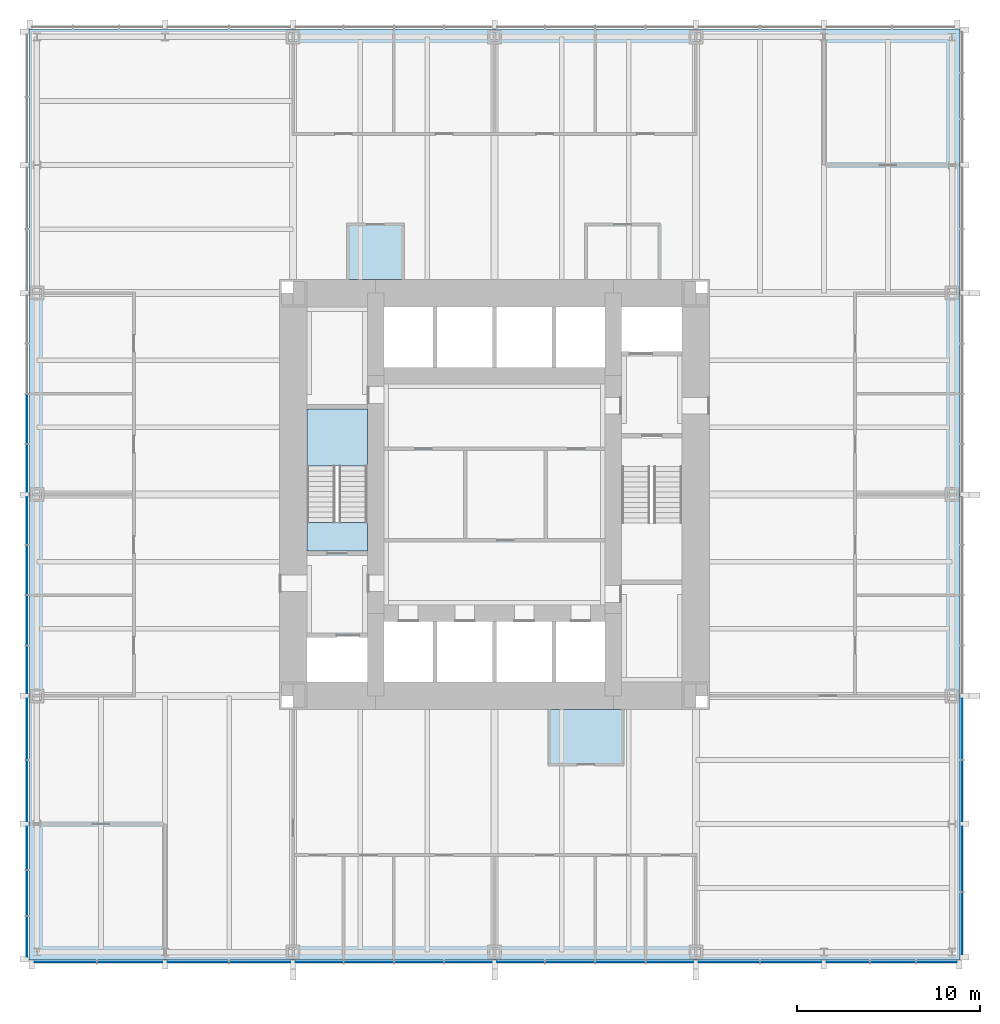
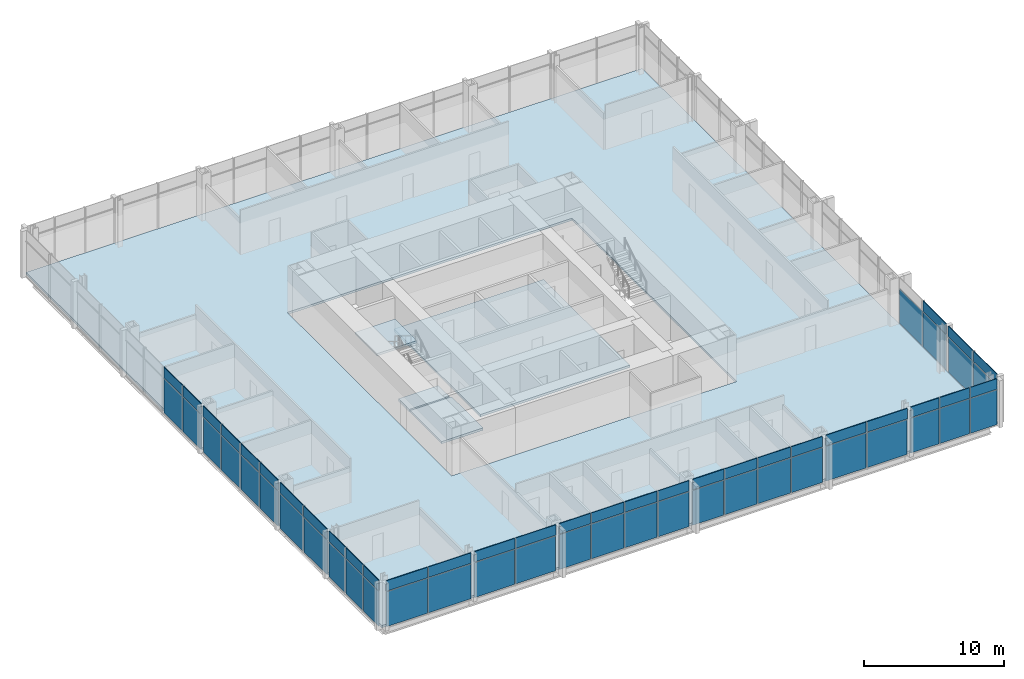
# One storey, part 7 of 12: 63 plates, 5 slabs, 4 elements without a shape of their own.
"""IFC4 building model written with IfcOpenShell, lengths in metres."""

from ifc_helpers import new_model, si_unit, direction, frame, origin, origin_2d, place, context, subcontext, project, spatial, polyline, rectangle, outline, extrude, material, layer, layer_set, type_object, element, aggregate, save


model = new_model("IFC4")

# Units and contexts
model_context = context("Model", 3, precision=1e-05, world=origin(), true_north=direction((0.0, 1.0)))
body_context = subcontext(model_context, "Body", "Model", "MODEL_VIEW")
ifc_project = project(units=[si_unit("LENGTHUNIT", "METRE"), si_unit("AREAUNIT", "SQUARE_METRE"), si_unit("VOLUMEUNIT", "CUBIC_METRE"), si_unit("PLANEANGLEUNIT", "RADIAN"), si_unit("MASSUNIT", "GRAM", prefix="KILO")], contexts=[model_context])

# Site, building, storey
site_placement = place(None, origin())
site = spatial("IfcSite", under=ifc_project, at=site_placement, CompositionType="ELEMENT")
building_placement = place(site_placement, origin())
building = spatial("IfcBuilding", under=site, at=building_placement, Name="Trevanion Tower", CompositionType="ELEMENT")
storey_placement = place(building_placement, frame((0.0, 0.0, 69.300048828125)))
storey = spatial("IfcBuildingStorey", under=building, at=storey_placement, Name="L16", CompositionType="ELEMENT", Elevation=69.300048828125)

# Curtain wall, plates
ifc_material_1 = material(Name="Aluminium and glass", Category="aluminium")
curtain_wall_type = type_object("IfcCurtainWallType", Name="CW1 curtain wall", PredefinedType="USERDEFINED", material=ifc_material_1)
curtain_wall_1_placement = place(storey_placement, origin())
curtain_wall_1 = element("IfcCurtainWall", 1, at=curtain_wall_1_placement, inside=storey, type_object=curtain_wall_type, Name="CW1 L16 0", ObjectType="UNITISED CURTAIN WALL", PredefinedType="USERDEFINED")
ifc_material_2 = material(Name="Aluminium spandrel panel", Category="aluminium")
ifc_layer_1 = layer(ifc_material_2, 0.06005859375)
ifc_layer_set_1 = layer_set([ifc_layer_1], Name="CW1 spandrel panel")
plate_type_1 = type_object("IfcPlateType", Name="CW1 spandrel panel", PredefinedType="CURTAIN_PANEL", material=ifc_layer_set_1)
plate_1_placement = place(storey_placement, frame((25.550048828125, -23.433837890625, 2.997314453125), z_axis=(0.0, 0.0, 1.0), x_axis=(0.0, 1.0, 0.0)))
plate_1 = element("IfcPlate", 2, at=plate_1_placement, type_object=plate_type_1, Name="CW1 panel 1.2", PredefinedType="CURTAIN_PANEL", context=body_context, shape_type="SweptSolid", body=[
    extrude(rectangle(XDim=3.37255859375, YDim=0.06005859375, at=origin_2d()), origin(), (0.0, 0.0, 1.0), 0.91259765625),
])
plate_2_placement = place(storey_placement, frame((25.550048828125, -19.911376953125, 2.997314453125), z_axis=(0.0, 0.0, 1.0), x_axis=(0.0, 1.0, 0.0)))
plate_2 = element("IfcPlate", 3, at=plate_2_placement, type_object=plate_type_1, Name="CW1 panel 2.2", PredefinedType="CURTAIN_PANEL", context=body_context, shape_type="SweptSolid", body=[
    extrude(rectangle(XDim=3.5224609375, YDim=0.06005859375, at=origin_2d()), origin(), (0.0, 0.0, 1.0), 0.91259765625),
])
plate_3_placement = place(storey_placement, frame((25.550048828125, -16.19384765625, 2.997314453125), z_axis=(0.0, 0.0, 1.0), x_axis=(0.0, 1.0, 0.0)))
plate_3 = element("IfcPlate", 4, at=plate_3_placement, type_object=plate_type_1, Name="CW1 panel 3.2", PredefinedType="CURTAIN_PANEL", context=body_context, shape_type="SweptSolid", body=[
    extrude(rectangle(XDim=3.3125, YDim=0.06005859375, at=origin_2d()), origin(), (0.0, 0.0, 1.0), 0.91259765625),
])

curtain_wall_2_placement = place(storey_placement, origin())
curtain_wall_2 = element("IfcCurtainWall", 5, at=curtain_wall_2_placement, inside=storey, type_object=curtain_wall_type, Name="CW1 L16 2", ObjectType="UNITISED CURTAIN WALL", PredefinedType="USERDEFINED")
plate_4_placement = place(storey_placement, frame((-25.550048828125, 4.125, 2.997314453125), z_axis=(0.0, 0.0, 1.0), x_axis=(0.0, -1.0, 0.0)))
plate_4 = element("IfcPlate", 6, at=plate_4_placement, type_object=plate_type_1, Name="CW1 panel 7.2", PredefinedType="CURTAIN_PANEL", context=body_context, shape_type="SweptSolid", body=[
    extrude(rectangle(XDim=2.675048828125, YDim=0.06005859375, at=origin_2d()), origin(), (0.0, 0.0, 1.0), 0.91259765625),
])
plate_5_placement = place(storey_placement, frame((-25.550048828125, 1.43115234375, 2.997314453125), z_axis=(0.0, 0.0, 1.0), x_axis=(0.0, -1.0, 0.0)))
plate_5 = element("IfcPlate", 7, at=plate_5_placement, type_object=plate_type_1, Name="CW1 panel 8.2", PredefinedType="CURTAIN_PANEL", context=body_context, shape_type="SweptSolid", body=[
    extrude(rectangle(XDim=2.5625, YDim=0.06005859375, at=origin_2d()), origin(), (0.0, 0.0, 1.0), 0.91259765625),
])
plate_6_placement = place(storey_placement, frame((-25.550048828125, -1.43115234375, 2.997314453125), z_axis=(0.0, 0.0, 1.0), x_axis=(0.0, -1.0, 0.0)))
plate_6 = element("IfcPlate", 8, at=plate_6_placement, type_object=plate_type_1, Name="CW1 panel 9.2", PredefinedType="CURTAIN_PANEL", context=body_context, shape_type="SweptSolid", body=[
    extrude(rectangle(XDim=2.5625, YDim=0.06005859375, at=origin_2d()), origin(), (0.0, 0.0, 1.0), 0.91259765625),
])
plate_7_placement = place(storey_placement, frame((-25.550048828125, -4.125, 2.997314453125), z_axis=(0.0, 0.0, 1.0), x_axis=(0.0, -1.0, 0.0)))
plate_7 = element("IfcPlate", 9, at=plate_7_placement, type_object=plate_type_1, Name="CW1 panel 10.2", PredefinedType="CURTAIN_PANEL", context=body_context, shape_type="SweptSolid", body=[
    extrude(rectangle(XDim=2.675048828125, YDim=0.06005859375, at=origin_2d()), origin(), (0.0, 0.0, 1.0), 0.91259765625),
])
plate_8_placement = place(storey_placement, frame((-25.550048828125, -6.875, 2.997314453125), z_axis=(0.0, 0.0, 1.0), x_axis=(0.0, -1.0, 0.0)))
plate_8 = element("IfcPlate", 10, at=plate_8_placement, type_object=plate_type_1, Name="CW1 panel 11.2", PredefinedType="CURTAIN_PANEL", context=body_context, shape_type="SweptSolid", body=[
    extrude(rectangle(XDim=2.675048828125, YDim=0.06005859375, at=origin_2d()), origin(), (0.0, 0.0, 1.0), 0.91259765625),
])
plate_9_placement = place(storey_placement, frame((-25.550048828125, -9.56884765625, 2.997314453125), z_axis=(0.0, 0.0, 1.0), x_axis=(0.0, -1.0, 0.0)))
plate_9 = element("IfcPlate", 11, at=plate_9_placement, type_object=plate_type_1, Name="CW1 panel 12.2", PredefinedType="CURTAIN_PANEL", context=body_context, shape_type="SweptSolid", body=[
    extrude(rectangle(XDim=2.5625, YDim=0.06005859375, at=origin_2d()), origin(), (0.0, 0.0, 1.0), 0.91259765625),
])
plate_10_placement = place(storey_placement, frame((-25.550048828125, -12.80615234375, 2.997314453125), z_axis=(0.0, 0.0, 1.0), x_axis=(0.0, -1.0, 0.0)))
plate_10 = element("IfcPlate", 12, at=plate_10_placement, type_object=plate_type_1, Name="CW1 panel 13.2", PredefinedType="CURTAIN_PANEL", context=body_context, shape_type="SweptSolid", body=[
    extrude(rectangle(XDim=3.3125, YDim=0.06005859375, at=origin_2d()), origin(), (0.0, 0.0, 1.0), 0.91259765625),
])
plate_11_placement = place(storey_placement, frame((-25.550048828125, -16.19384765625, 2.997314453125), z_axis=(0.0, 0.0, 1.0), x_axis=(0.0, -1.0, 0.0)))
plate_11 = element("IfcPlate", 13, at=plate_11_placement, type_object=plate_type_1, Name="CW1 panel 14.2", PredefinedType="CURTAIN_PANEL", context=body_context, shape_type="SweptSolid", body=[
    extrude(rectangle(XDim=3.3125, YDim=0.06005859375, at=origin_2d()), origin(), (0.0, 0.0, 1.0), 0.91259765625),
])
plate_12_placement = place(storey_placement, frame((-25.550048828125, -19.314697265625, 2.997314453125), z_axis=(0.0, 0.0, 1.0), x_axis=(0.0, -1.0, 0.0)))
plate_12 = element("IfcPlate", 14, at=plate_12_placement, type_object=plate_type_1, Name="CW1 panel 15.2", PredefinedType="CURTAIN_PANEL", context=body_context, shape_type="SweptSolid", body=[
    extrude(rectangle(XDim=2.3291015625, YDim=0.06005859375, at=origin_2d()), origin(), (0.0, 0.0, 1.0), 0.91259765625),
])
plate_13_placement = place(storey_placement, frame((-25.550048828125, -21.77490234375, 2.997314453125), z_axis=(0.0, 0.0, 1.0), x_axis=(0.0, -1.0, 0.0)))
plate_13 = element("IfcPlate", 15, at=plate_13_placement, type_object=plate_type_1, Name="CW1 panel 16.2", PredefinedType="CURTAIN_PANEL", context=body_context, shape_type="SweptSolid", body=[
    extrude(rectangle(XDim=2.441650390625, YDim=0.06005859375, at=origin_2d()), origin(), (0.0, 0.0, 1.0), 0.91259765625),
])
plate_14_placement = place(storey_placement, frame((-25.550048828125, -24.160400390625, 2.997314453125), z_axis=(0.0, 0.0, 1.0), x_axis=(0.0, -1.0, 0.0)))
plate_14 = element("IfcPlate", 16, at=plate_14_placement, type_object=plate_type_1, Name="CW1 panel 17.2", PredefinedType="CURTAIN_PANEL", context=body_context, shape_type="SweptSolid", body=[
    extrude(rectangle(XDim=2.17919921875, YDim=0.06005859375, at=origin_2d()), origin(), (0.0, 0.0, 1.0), 0.91259765625),
])

curtain_wall_3_placement = place(storey_placement, origin())
curtain_wall_3 = element("IfcCurtainWall", 17, at=curtain_wall_3_placement, inside=storey, type_object=curtain_wall_type, Name="CW1 L16 3", ObjectType="UNITISED CURTAIN WALL", PredefinedType="USERDEFINED")
plate_15_placement = place(storey_placement, frame((-23.433837890625, -25.550048828125, 2.997314453125), z_axis=(0.0, 0.0, 1.0), x_axis=(1.0, 0.0, 0.0)))
plate_15 = element("IfcPlate", 18, at=plate_15_placement, type_object=plate_type_1, Name="CW1 panel 1.2", PredefinedType="CURTAIN_PANEL", context=body_context, shape_type="SweptSolid", body=[
    extrude(rectangle(XDim=3.37255859375, YDim=0.06005859375, at=origin_2d()), origin(), (0.0, 0.0, 1.0), 0.91259765625),
])
plate_16_placement = place(storey_placement, frame((-19.911376953125, -25.550048828125, 2.997314453125), z_axis=(0.0, 0.0, 1.0), x_axis=(1.0, 0.0, 0.0)))
plate_16 = element("IfcPlate", 19, at=plate_16_placement, type_object=plate_type_1, Name="CW1 panel 2.2", PredefinedType="CURTAIN_PANEL", context=body_context, shape_type="SweptSolid", body=[
    extrude(rectangle(XDim=3.5224609375, YDim=0.06005859375, at=origin_2d()), origin(), (0.0, 0.0, 1.0), 0.91259765625),
])
plate_17_placement = place(storey_placement, frame((-16.19384765625, -25.550048828125, 2.997314453125), z_axis=(0.0, 0.0, 1.0), x_axis=(1.0, 0.0, 0.0)))
plate_17 = element("IfcPlate", 20, at=plate_17_placement, type_object=plate_type_1, Name="CW1 panel 3.2", PredefinedType="CURTAIN_PANEL", context=body_context, shape_type="SweptSolid", body=[
    extrude(rectangle(XDim=3.3125, YDim=0.06005859375, at=origin_2d()), origin(), (0.0, 0.0, 1.0), 0.91259765625),
])
plate_18_placement = place(storey_placement, frame((-12.806396484375, -25.550048828125, 2.997314453125), z_axis=(0.0, 0.0, 1.0), x_axis=(1.0, 0.0, 0.0)))
plate_18 = element("IfcPlate", 21, at=plate_18_placement, type_object=plate_type_1, Name="CW1 panel 4.2", PredefinedType="CURTAIN_PANEL", context=body_context, shape_type="SweptSolid", body=[
    extrude(rectangle(XDim=3.3125, YDim=0.06005859375, at=origin_2d()), origin(), (0.0, 0.0, 1.0), 0.91259765625),
])
plate_19_placement = place(storey_placement, frame((-9.56884765625, -25.550048828125, 2.997314453125), z_axis=(0.0, 0.0, 1.0), x_axis=(1.0, 0.0, 0.0)))
plate_19 = element("IfcPlate", 22, at=plate_19_placement, type_object=plate_type_1, Name="CW1 panel 5.2", PredefinedType="CURTAIN_PANEL", context=body_context, shape_type="SweptSolid", body=[
    extrude(rectangle(XDim=2.5625, YDim=0.06005859375, at=origin_2d()), origin(), (0.0, 0.0, 1.0), 0.91259765625),
])
plate_20_placement = place(storey_placement, frame((-6.875, -25.550048828125, 2.997314453125), z_axis=(0.0, 0.0, 1.0), x_axis=(1.0, 0.0, 0.0)))
plate_20 = element("IfcPlate", 23, at=plate_20_placement, type_object=plate_type_1, Name="CW1 panel 6.2", PredefinedType="CURTAIN_PANEL", context=body_context, shape_type="SweptSolid", body=[
    extrude(rectangle(XDim=2.675048828125, YDim=0.06005859375, at=origin_2d()), origin(), (0.0, 0.0, 1.0), 0.91259765625),
])
plate_21_placement = place(storey_placement, frame((-4.125, -25.550048828125, 2.997314453125), z_axis=(0.0, 0.0, 1.0), x_axis=(1.0, 0.0, 0.0)))
plate_21 = element("IfcPlate", 24, at=plate_21_placement, type_object=plate_type_1, Name="CW1 panel 7.2", PredefinedType="CURTAIN_PANEL", context=body_context, shape_type="SweptSolid", body=[
    extrude(rectangle(XDim=2.675048828125, YDim=0.06005859375, at=origin_2d()), origin(), (0.0, 0.0, 1.0), 0.91259765625),
])
plate_22_placement = place(storey_placement, frame((-1.43115234375, -25.550048828125, 2.997314453125), z_axis=(0.0, 0.0, 1.0), x_axis=(1.0, 0.0, 0.0)))
plate_22 = element("IfcPlate", 25, at=plate_22_placement, type_object=plate_type_1, Name="CW1 panel 8.2", PredefinedType="CURTAIN_PANEL", context=body_context, shape_type="SweptSolid", body=[
    extrude(rectangle(XDim=2.5625, YDim=0.06005859375, at=origin_2d()), origin(), (0.0, 0.0, 1.0), 0.91259765625),
])
plate_23_placement = place(storey_placement, frame((1.43115234375, -25.550048828125, 2.997314453125), z_axis=(0.0, 0.0, 1.0), x_axis=(1.0, 0.0, 0.0)))
plate_23 = element("IfcPlate", 26, at=plate_23_placement, type_object=plate_type_1, Name="CW1 panel 9.2", PredefinedType="CURTAIN_PANEL", context=body_context, shape_type="SweptSolid", body=[
    extrude(rectangle(XDim=2.5625, YDim=0.06005859375, at=origin_2d()), origin(), (0.0, 0.0, 1.0), 0.91259765625),
])
plate_24_placement = place(storey_placement, frame((4.125, -25.550048828125, 2.997314453125), z_axis=(0.0, 0.0, 1.0), x_axis=(1.0, 0.0, 0.0)))
plate_24 = element("IfcPlate", 27, at=plate_24_placement, type_object=plate_type_1, Name="CW1 panel 10.2", PredefinedType="CURTAIN_PANEL", context=body_context, shape_type="SweptSolid", body=[
    extrude(rectangle(XDim=2.675048828125, YDim=0.06005859375, at=origin_2d()), origin(), (0.0, 0.0, 1.0), 0.91259765625),
])
plate_25_placement = place(storey_placement, frame((6.875, -25.550048828125, 2.997314453125), z_axis=(0.0, 0.0, 1.0), x_axis=(1.0, 0.0, 0.0)))
plate_25 = element("IfcPlate", 28, at=plate_25_placement, type_object=plate_type_1, Name="CW1 panel 11.2", PredefinedType="CURTAIN_PANEL", context=body_context, shape_type="SweptSolid", body=[
    extrude(rectangle(XDim=2.675048828125, YDim=0.06005859375, at=origin_2d()), origin(), (0.0, 0.0, 1.0), 0.91259765625),
])
plate_26_placement = place(storey_placement, frame((9.56884765625, -25.550048828125, 2.997314453125), z_axis=(0.0, 0.0, 1.0), x_axis=(1.0, 0.0, 0.0)))
plate_26 = element("IfcPlate", 29, at=plate_26_placement, type_object=plate_type_1, Name="CW1 panel 12.2", PredefinedType="CURTAIN_PANEL", context=body_context, shape_type="SweptSolid", body=[
    extrude(rectangle(XDim=2.5625, YDim=0.06005859375, at=origin_2d()), origin(), (0.0, 0.0, 1.0), 0.91259765625),
])
plate_27_placement = place(storey_placement, frame((12.80615234375, -25.550048828125, 2.997314453125), z_axis=(0.0, 0.0, 1.0), x_axis=(1.0, 0.0, 0.0)))
plate_27 = element("IfcPlate", 30, at=plate_27_placement, type_object=plate_type_1, Name="CW1 panel 13.2", PredefinedType="CURTAIN_PANEL", context=body_context, shape_type="SweptSolid", body=[
    extrude(rectangle(XDim=3.3125, YDim=0.06005859375, at=origin_2d()), origin(), (0.0, 0.0, 1.0), 0.91259765625),
])
plate_28_placement = place(storey_placement, frame((16.19384765625, -25.550048828125, 2.997314453125), z_axis=(0.0, 0.0, 1.0), x_axis=(1.0, 0.0, 0.0)))
plate_28 = element("IfcPlate", 31, at=plate_28_placement, type_object=plate_type_1, Name="CW1 panel 14.2", PredefinedType="CURTAIN_PANEL", context=body_context, shape_type="SweptSolid", body=[
    extrude(rectangle(XDim=3.3125, YDim=0.06005859375, at=origin_2d()), origin(), (0.0, 0.0, 1.0), 0.91259765625),
])
plate_29_placement = place(storey_placement, frame((19.314697265625, -25.550048828125, 2.997314453125), z_axis=(0.0, 0.0, 1.0), x_axis=(1.0, 0.0, 0.0)))
plate_29 = element("IfcPlate", 32, at=plate_29_placement, type_object=plate_type_1, Name="CW1 panel 15.2", PredefinedType="CURTAIN_PANEL", context=body_context, shape_type="SweptSolid", body=[
    extrude(rectangle(XDim=2.3291015625, YDim=0.06005859375, at=origin_2d()), origin(), (0.0, 0.0, 1.0), 0.91259765625),
])
plate_30_placement = place(storey_placement, frame((21.77490234375, -25.550048828125, 2.997314453125), z_axis=(0.0, 0.0, 1.0), x_axis=(1.0, 0.0, 0.0)))
plate_30 = element("IfcPlate", 33, at=plate_30_placement, type_object=plate_type_1, Name="CW1 panel 16.2", PredefinedType="CURTAIN_PANEL", context=body_context, shape_type="SweptSolid", body=[
    extrude(rectangle(XDim=2.441650390625, YDim=0.06005859375, at=origin_2d()), origin(), (0.0, 0.0, 1.0), 0.91259765625),
])
plate_31_placement = place(storey_placement, frame((24.160400390625, -25.550048828125, 2.997314453125), z_axis=(0.0, 0.0, 1.0), x_axis=(1.0, 0.0, 0.0)))
plate_31 = element("IfcPlate", 34, at=plate_31_placement, type_object=plate_type_1, Name="CW1 panel 17.2", PredefinedType="CURTAIN_PANEL", context=body_context, shape_type="SweptSolid", body=[
    extrude(rectangle(XDim=2.17919921875, YDim=0.06005859375, at=origin_2d()), origin(), (0.0, 0.0, 1.0), 0.91259765625),
])

# Plate
ifc_material_3 = material(Name="Insulating glass unit", Category="glass")
ifc_layer_2 = layer(ifc_material_3, 0.028076171875)
ifc_layer_set_2 = layer_set([ifc_layer_2], Name="CW1 vision panel")
plate_type_2 = type_object("IfcPlateType", Name="CW1 vision panel", PredefinedType="CURTAIN_PANEL", material=ifc_layer_set_2)
plate_32_placement = place(storey_placement, frame((25.550048828125, -23.433837890625, -0.115234375), z_axis=(0.0, 0.0, 1.0), x_axis=(0.0, 1.0, 0.0)))
plate_32 = element("IfcPlate", 35, at=plate_32_placement, type_object=plate_type_2, Name="CW1 panel 1.1", PredefinedType="CURTAIN_PANEL", context=body_context, shape_type="SweptSolid", body=[
    extrude(rectangle(XDim=3.37255859375, YDim=0.028076171875, at=origin_2d()), origin(), (0.0, 0.0, 1.0), 3.03759765625),
])

plate_33_placement = place(storey_placement, frame((25.550048828125, -19.911376953125, -0.115234375), z_axis=(0.0, 0.0, 1.0), x_axis=(0.0, 1.0, 0.0)))
plate_33 = element("IfcPlate", 36, at=plate_33_placement, type_object=plate_type_2, Name="CW1 panel 2.1", PredefinedType="CURTAIN_PANEL", context=body_context, shape_type="SweptSolid", body=[
    extrude(rectangle(XDim=3.5224609375, YDim=0.028076171875, at=origin_2d()), origin(), (0.0, 0.0, 1.0), 3.03759765625),
])

plate_34_placement = place(storey_placement, frame((25.550048828125, -16.19384765625, -0.115234375), z_axis=(0.0, 0.0, 1.0), x_axis=(0.0, 1.0, 0.0)))
plate_34 = element("IfcPlate", 37, at=plate_34_placement, type_object=plate_type_2, Name="CW1 panel 3.1", PredefinedType="CURTAIN_PANEL", context=body_context, shape_type="SweptSolid", body=[
    extrude(rectangle(XDim=3.3125, YDim=0.028076171875, at=origin_2d()), origin(), (0.0, 0.0, 1.0), 3.03759765625),
])

plate_35_placement = place(storey_placement, frame((25.550048828125, -12.806396484375, -0.115234375), z_axis=(0.0, 0.0, 1.0), x_axis=(0.0, 1.0, 0.0)))
plate_35 = element("IfcPlate", 38, at=plate_35_placement, type_object=plate_type_2, Name="CW1 panel 4.1", PredefinedType="CURTAIN_PANEL", context=body_context, shape_type="SweptSolid", body=[
    extrude(rectangle(XDim=3.3125, YDim=0.028076171875, at=origin_2d()), origin(), (0.0, 0.0, 1.0), 3.03759765625),
])

aggregate(curtain_wall_1, [plate_32, plate_1, plate_33, plate_2, plate_34, plate_3, plate_35])

plate_36_placement = place(storey_placement, frame((-25.550048828125, 4.125, -0.115234375), z_axis=(0.0, 0.0, 1.0), x_axis=(0.0, -1.0, 0.0)))
plate_36 = element("IfcPlate", 39, at=plate_36_placement, type_object=plate_type_2, Name="CW1 panel 7.1", PredefinedType="CURTAIN_PANEL", context=body_context, shape_type="SweptSolid", body=[
    extrude(rectangle(XDim=2.675048828125, YDim=0.028076171875, at=origin_2d()), origin(), (0.0, 0.0, 1.0), 3.03759765625),
])

plate_37_placement = place(storey_placement, frame((-25.550048828125, 1.43115234375, -0.115234375), z_axis=(0.0, 0.0, 1.0), x_axis=(0.0, -1.0, 0.0)))
plate_37 = element("IfcPlate", 40, at=plate_37_placement, type_object=plate_type_2, Name="CW1 panel 8.1", PredefinedType="CURTAIN_PANEL", context=body_context, shape_type="SweptSolid", body=[
    extrude(rectangle(XDim=2.5625, YDim=0.028076171875, at=origin_2d()), origin(), (0.0, 0.0, 1.0), 3.03759765625),
])

plate_38_placement = place(storey_placement, frame((-25.550048828125, -1.43115234375, -0.115234375), z_axis=(0.0, 0.0, 1.0), x_axis=(0.0, -1.0, 0.0)))
plate_38 = element("IfcPlate", 41, at=plate_38_placement, type_object=plate_type_2, Name="CW1 panel 9.1", PredefinedType="CURTAIN_PANEL", context=body_context, shape_type="SweptSolid", body=[
    extrude(rectangle(XDim=2.5625, YDim=0.028076171875, at=origin_2d()), origin(), (0.0, 0.0, 1.0), 3.03759765625),
])

plate_39_placement = place(storey_placement, frame((-25.550048828125, -4.125, -0.115234375), z_axis=(0.0, 0.0, 1.0), x_axis=(0.0, -1.0, 0.0)))
plate_39 = element("IfcPlate", 42, at=plate_39_placement, type_object=plate_type_2, Name="CW1 panel 10.1", PredefinedType="CURTAIN_PANEL", context=body_context, shape_type="SweptSolid", body=[
    extrude(rectangle(XDim=2.675048828125, YDim=0.028076171875, at=origin_2d()), origin(), (0.0, 0.0, 1.0), 3.03759765625),
])

plate_40_placement = place(storey_placement, frame((-25.550048828125, -6.875, -0.115234375), z_axis=(0.0, 0.0, 1.0), x_axis=(0.0, -1.0, 0.0)))
plate_40 = element("IfcPlate", 43, at=plate_40_placement, type_object=plate_type_2, Name="CW1 panel 11.1", PredefinedType="CURTAIN_PANEL", context=body_context, shape_type="SweptSolid", body=[
    extrude(rectangle(XDim=2.675048828125, YDim=0.028076171875, at=origin_2d()), origin(), (0.0, 0.0, 1.0), 3.03759765625),
])

plate_41_placement = place(storey_placement, frame((-25.550048828125, -9.56884765625, -0.115234375), z_axis=(0.0, 0.0, 1.0), x_axis=(0.0, -1.0, 0.0)))
plate_41 = element("IfcPlate", 44, at=plate_41_placement, type_object=plate_type_2, Name="CW1 panel 12.1", PredefinedType="CURTAIN_PANEL", context=body_context, shape_type="SweptSolid", body=[
    extrude(rectangle(XDim=2.5625, YDim=0.028076171875, at=origin_2d()), origin(), (0.0, 0.0, 1.0), 3.03759765625),
])

plate_42_placement = place(storey_placement, frame((-25.550048828125, -12.80615234375, -0.115234375), z_axis=(0.0, 0.0, 1.0), x_axis=(0.0, -1.0, 0.0)))
plate_42 = element("IfcPlate", 45, at=plate_42_placement, type_object=plate_type_2, Name="CW1 panel 13.1", PredefinedType="CURTAIN_PANEL", context=body_context, shape_type="SweptSolid", body=[
    extrude(rectangle(XDim=3.3125, YDim=0.028076171875, at=origin_2d()), origin(), (0.0, 0.0, 1.0), 3.03759765625),
])

plate_43_placement = place(storey_placement, frame((-25.550048828125, -16.19384765625, -0.115234375), z_axis=(0.0, 0.0, 1.0), x_axis=(0.0, -1.0, 0.0)))
plate_43 = element("IfcPlate", 46, at=plate_43_placement, type_object=plate_type_2, Name="CW1 panel 14.1", PredefinedType="CURTAIN_PANEL", context=body_context, shape_type="SweptSolid", body=[
    extrude(rectangle(XDim=3.3125, YDim=0.028076171875, at=origin_2d()), origin(), (0.0, 0.0, 1.0), 3.03759765625),
])

plate_44_placement = place(storey_placement, frame((-25.550048828125, -19.314697265625, -0.115234375), z_axis=(0.0, 0.0, 1.0), x_axis=(0.0, -1.0, 0.0)))
plate_44 = element("IfcPlate", 47, at=plate_44_placement, type_object=plate_type_2, Name="CW1 panel 15.1", PredefinedType="CURTAIN_PANEL", context=body_context, shape_type="SweptSolid", body=[
    extrude(rectangle(XDim=2.3291015625, YDim=0.028076171875, at=origin_2d()), origin(), (0.0, 0.0, 1.0), 3.03759765625),
])

plate_45_placement = place(storey_placement, frame((-25.550048828125, -21.77490234375, -0.115234375), z_axis=(0.0, 0.0, 1.0), x_axis=(0.0, -1.0, 0.0)))
plate_45 = element("IfcPlate", 48, at=plate_45_placement, type_object=plate_type_2, Name="CW1 panel 16.1", PredefinedType="CURTAIN_PANEL", context=body_context, shape_type="SweptSolid", body=[
    extrude(rectangle(XDim=2.441650390625, YDim=0.028076171875, at=origin_2d()), origin(), (0.0, 0.0, 1.0), 3.03759765625),
])

plate_46_placement = place(storey_placement, frame((-25.550048828125, -24.160400390625, -0.115234375), z_axis=(0.0, 0.0, 1.0), x_axis=(0.0, -1.0, 0.0)))
plate_46 = element("IfcPlate", 49, at=plate_46_placement, type_object=plate_type_2, Name="CW1 panel 17.1", PredefinedType="CURTAIN_PANEL", context=body_context, shape_type="SweptSolid", body=[
    extrude(rectangle(XDim=2.17919921875, YDim=0.028076171875, at=origin_2d()), origin(), (0.0, 0.0, 1.0), 3.03759765625),
])

aggregate(curtain_wall_2, [plate_36, plate_4, plate_37, plate_5, plate_38, plate_6, plate_39, plate_7, plate_40, plate_8, plate_41, plate_9, plate_42, plate_10, plate_43, plate_11, plate_44, plate_12, plate_45, plate_13, plate_46, plate_14])

plate_47_placement = place(storey_placement, frame((-23.433837890625, -25.550048828125, -0.115234375), z_axis=(0.0, 0.0, 1.0), x_axis=(1.0, 0.0, 0.0)))
plate_47 = element("IfcPlate", 50, at=plate_47_placement, type_object=plate_type_2, Name="CW1 panel 1.1", PredefinedType="CURTAIN_PANEL", context=body_context, shape_type="SweptSolid", body=[
    extrude(rectangle(XDim=3.37255859375, YDim=0.028076171875, at=origin_2d()), origin(), (0.0, 0.0, 1.0), 3.03759765625),
])

plate_48_placement = place(storey_placement, frame((-19.911376953125, -25.550048828125, -0.115234375), z_axis=(0.0, 0.0, 1.0), x_axis=(1.0, 0.0, 0.0)))
plate_48 = element("IfcPlate", 51, at=plate_48_placement, type_object=plate_type_2, Name="CW1 panel 2.1", PredefinedType="CURTAIN_PANEL", context=body_context, shape_type="SweptSolid", body=[
    extrude(rectangle(XDim=3.5224609375, YDim=0.028076171875, at=origin_2d()), origin(), (0.0, 0.0, 1.0), 3.03759765625),
])

plate_49_placement = place(storey_placement, frame((-16.19384765625, -25.550048828125, -0.115234375), z_axis=(0.0, 0.0, 1.0), x_axis=(1.0, 0.0, 0.0)))
plate_49 = element("IfcPlate", 52, at=plate_49_placement, type_object=plate_type_2, Name="CW1 panel 3.1", PredefinedType="CURTAIN_PANEL", context=body_context, shape_type="SweptSolid", body=[
    extrude(rectangle(XDim=3.3125, YDim=0.028076171875, at=origin_2d()), origin(), (0.0, 0.0, 1.0), 3.03759765625),
])

plate_50_placement = place(storey_placement, frame((-12.806396484375, -25.550048828125, -0.115234375), z_axis=(0.0, 0.0, 1.0), x_axis=(1.0, 0.0, 0.0)))
plate_50 = element("IfcPlate", 53, at=plate_50_placement, type_object=plate_type_2, Name="CW1 panel 4.1", PredefinedType="CURTAIN_PANEL", context=body_context, shape_type="SweptSolid", body=[
    extrude(rectangle(XDim=3.3125, YDim=0.028076171875, at=origin_2d()), origin(), (0.0, 0.0, 1.0), 3.03759765625),
])

plate_51_placement = place(storey_placement, frame((-9.56884765625, -25.550048828125, -0.115234375), z_axis=(0.0, 0.0, 1.0), x_axis=(1.0, 0.0, 0.0)))
plate_51 = element("IfcPlate", 54, at=plate_51_placement, type_object=plate_type_2, Name="CW1 panel 5.1", PredefinedType="CURTAIN_PANEL", context=body_context, shape_type="SweptSolid", body=[
    extrude(rectangle(XDim=2.5625, YDim=0.028076171875, at=origin_2d()), origin(), (0.0, 0.0, 1.0), 3.03759765625),
])

plate_52_placement = place(storey_placement, frame((-6.875, -25.550048828125, -0.115234375), z_axis=(0.0, 0.0, 1.0), x_axis=(1.0, 0.0, 0.0)))
plate_52 = element("IfcPlate", 55, at=plate_52_placement, type_object=plate_type_2, Name="CW1 panel 6.1", PredefinedType="CURTAIN_PANEL", context=body_context, shape_type="SweptSolid", body=[
    extrude(rectangle(XDim=2.675048828125, YDim=0.028076171875, at=origin_2d()), origin(), (0.0, 0.0, 1.0), 3.03759765625),
])

plate_53_placement = place(storey_placement, frame((-4.125, -25.550048828125, -0.115234375), z_axis=(0.0, 0.0, 1.0), x_axis=(1.0, 0.0, 0.0)))
plate_53 = element("IfcPlate", 56, at=plate_53_placement, type_object=plate_type_2, Name="CW1 panel 7.1", PredefinedType="CURTAIN_PANEL", context=body_context, shape_type="SweptSolid", body=[
    extrude(rectangle(XDim=2.675048828125, YDim=0.028076171875, at=origin_2d()), origin(), (0.0, 0.0, 1.0), 3.03759765625),
])

plate_54_placement = place(storey_placement, frame((-1.43115234375, -25.550048828125, -0.115234375), z_axis=(0.0, 0.0, 1.0), x_axis=(1.0, 0.0, 0.0)))
plate_54 = element("IfcPlate", 57, at=plate_54_placement, type_object=plate_type_2, Name="CW1 panel 8.1", PredefinedType="CURTAIN_PANEL", context=body_context, shape_type="SweptSolid", body=[
    extrude(rectangle(XDim=2.5625, YDim=0.028076171875, at=origin_2d()), origin(), (0.0, 0.0, 1.0), 3.03759765625),
])

plate_55_placement = place(storey_placement, frame((1.43115234375, -25.550048828125, -0.115234375), z_axis=(0.0, 0.0, 1.0), x_axis=(1.0, 0.0, 0.0)))
plate_55 = element("IfcPlate", 58, at=plate_55_placement, type_object=plate_type_2, Name="CW1 panel 9.1", PredefinedType="CURTAIN_PANEL", context=body_context, shape_type="SweptSolid", body=[
    extrude(rectangle(XDim=2.5625, YDim=0.028076171875, at=origin_2d()), origin(), (0.0, 0.0, 1.0), 3.03759765625),
])

plate_56_placement = place(storey_placement, frame((4.125, -25.550048828125, -0.115234375), z_axis=(0.0, 0.0, 1.0), x_axis=(1.0, 0.0, 0.0)))
plate_56 = element("IfcPlate", 59, at=plate_56_placement, type_object=plate_type_2, Name="CW1 panel 10.1", PredefinedType="CURTAIN_PANEL", context=body_context, shape_type="SweptSolid", body=[
    extrude(rectangle(XDim=2.675048828125, YDim=0.028076171875, at=origin_2d()), origin(), (0.0, 0.0, 1.0), 3.03759765625),
])

plate_57_placement = place(storey_placement, frame((6.875, -25.550048828125, -0.115234375), z_axis=(0.0, 0.0, 1.0), x_axis=(1.0, 0.0, 0.0)))
plate_57 = element("IfcPlate", 60, at=plate_57_placement, type_object=plate_type_2, Name="CW1 panel 11.1", PredefinedType="CURTAIN_PANEL", context=body_context, shape_type="SweptSolid", body=[
    extrude(rectangle(XDim=2.675048828125, YDim=0.028076171875, at=origin_2d()), origin(), (0.0, 0.0, 1.0), 3.03759765625),
])

plate_58_placement = place(storey_placement, frame((9.56884765625, -25.550048828125, -0.115234375), z_axis=(0.0, 0.0, 1.0), x_axis=(1.0, 0.0, 0.0)))
plate_58 = element("IfcPlate", 61, at=plate_58_placement, type_object=plate_type_2, Name="CW1 panel 12.1", PredefinedType="CURTAIN_PANEL", context=body_context, shape_type="SweptSolid", body=[
    extrude(rectangle(XDim=2.5625, YDim=0.028076171875, at=origin_2d()), origin(), (0.0, 0.0, 1.0), 3.03759765625),
])

plate_59_placement = place(storey_placement, frame((12.80615234375, -25.550048828125, -0.115234375), z_axis=(0.0, 0.0, 1.0), x_axis=(1.0, 0.0, 0.0)))
plate_59 = element("IfcPlate", 62, at=plate_59_placement, type_object=plate_type_2, Name="CW1 panel 13.1", PredefinedType="CURTAIN_PANEL", context=body_context, shape_type="SweptSolid", body=[
    extrude(rectangle(XDim=3.3125, YDim=0.028076171875, at=origin_2d()), origin(), (0.0, 0.0, 1.0), 3.03759765625),
])

plate_60_placement = place(storey_placement, frame((16.19384765625, -25.550048828125, -0.115234375), z_axis=(0.0, 0.0, 1.0), x_axis=(1.0, 0.0, 0.0)))
plate_60 = element("IfcPlate", 63, at=plate_60_placement, type_object=plate_type_2, Name="CW1 panel 14.1", PredefinedType="CURTAIN_PANEL", context=body_context, shape_type="SweptSolid", body=[
    extrude(rectangle(XDim=3.3125, YDim=0.028076171875, at=origin_2d()), origin(), (0.0, 0.0, 1.0), 3.03759765625),
])

plate_61_placement = place(storey_placement, frame((19.314697265625, -25.550048828125, -0.115234375), z_axis=(0.0, 0.0, 1.0), x_axis=(1.0, 0.0, 0.0)))
plate_61 = element("IfcPlate", 64, at=plate_61_placement, type_object=plate_type_2, Name="CW1 panel 15.1", PredefinedType="CURTAIN_PANEL", context=body_context, shape_type="SweptSolid", body=[
    extrude(rectangle(XDim=2.3291015625, YDim=0.028076171875, at=origin_2d()), origin(), (0.0, 0.0, 1.0), 3.03759765625),
])

plate_62_placement = place(storey_placement, frame((21.77490234375, -25.550048828125, -0.115234375), z_axis=(0.0, 0.0, 1.0), x_axis=(1.0, 0.0, 0.0)))
plate_62 = element("IfcPlate", 65, at=plate_62_placement, type_object=plate_type_2, Name="CW1 panel 16.1", PredefinedType="CURTAIN_PANEL", context=body_context, shape_type="SweptSolid", body=[
    extrude(rectangle(XDim=2.441650390625, YDim=0.028076171875, at=origin_2d()), origin(), (0.0, 0.0, 1.0), 3.03759765625),
])

plate_63_placement = place(storey_placement, frame((24.160400390625, -25.550048828125, -0.115234375), z_axis=(0.0, 0.0, 1.0), x_axis=(1.0, 0.0, 0.0)))
plate_63 = element("IfcPlate", 66, at=plate_63_placement, type_object=plate_type_2, Name="CW1 panel 17.1", PredefinedType="CURTAIN_PANEL", context=body_context, shape_type="SweptSolid", body=[
    extrude(rectangle(XDim=2.17919921875, YDim=0.028076171875, at=origin_2d()), origin(), (0.0, 0.0, 1.0), 3.03759765625),
])

aggregate(curtain_wall_3, [plate_47, plate_15, plate_48, plate_16, plate_49, plate_17, plate_50, plate_18, plate_51, plate_19, plate_52, plate_20, plate_53, plate_21, plate_54, plate_22, plate_55, plate_23, plate_56, plate_24, plate_57, plate_25, plate_58, plate_26, plate_59, plate_27, plate_60, plate_28, plate_61, plate_29, plate_62, plate_30, plate_63, plate_31])

# Slabs
ifc_material_4 = material(Name="Concrete 5,000 psi on composite metal deck", Category="concrete")
ifc_layer_3 = layer(ifc_material_4, 0.18994140625)
ifc_layer_set_3 = layer_set([ifc_layer_3], Name="SL1 composite floor 190")
slab_type_1 = type_object("IfcSlabType", Name="SL1 composite floor 190", PredefinedType="FLOOR", material=ifc_layer_set_3)
slab_1_placement = place(storey_placement, frame((0.0, 0.0, -0.18994140625)))
element("IfcSlab", 67, at=slab_1_placement, inside=storey, type_object=slab_type_1, Name="SL1 L16 floor", PredefinedType="FLOOR", context=body_context, shape_type="SweptSolid", body=[
    extrude(outline(polyline([(25.419921875, -25.419921875), (25.419921875, 25.419921875), (-25.419921875, 25.419921875), (-25.419921875, -25.419921875), (25.419921875, -25.419921875)]), holes=[polyline([(11.75, -11.75), (11.75, 11.75), (-11.75, 11.75), (-11.75, -11.75), (11.75, -11.75)])]), origin(), (0.0, 0.0, 1.0), 0.18994140625),
])
ifc_material_5 = material(Name="Concrete 5,000 psi", Category="concrete")
ifc_layer_4 = layer(ifc_material_5, 0.199951171875)
ifc_layer_set_4 = layer_set([ifc_layer_4], Name="SL2 core floor 200")
slab_type_2 = type_object("IfcSlabType", Name="SL2 core floor 200", PredefinedType="FLOOR", material=ifc_layer_set_4)
slab_2_placement = place(storey_placement, frame((0.0, 0.0, -0.199951171875)))
element("IfcSlab", 68, at=slab_2_placement, inside=storey, type_object=slab_type_2, Name="SL2 L16 core floor 2", PredefinedType="FLOOR", context=body_context, shape_type="SweptSolid", body=[
    extrude(outline(polyline([(-6.830078125, -3.205078125), (-6.830078125, -7.695068359375), (-10.25, -7.695068359375), (-10.25, -3.205078125), (-6.830078125, -3.205078125)])), origin(), (0.0, 0.0, 1.0), 0.199951171875),
])
slab_3_placement = place(storey_placement, frame((0.0, 0.0, -0.199951171875)))
element("IfcSlab", 69, at=slab_3_placement, inside=storey, type_object=slab_type_2, Name="SL2 L16 core floor 3", PredefinedType="FLOOR", context=body_context, shape_type="SweptSolid", body=[
    extrude(outline(polyline([(6.169921875, -6.169921875), (-6.169921875, -6.169921875), (-6.169921875, 6.169921875), (6.169921875, 6.169921875), (6.169921875, -6.169921875)])), origin(), (0.0, 0.0, 1.0), 0.199951171875),
])

# Stair, slabs
ifc_material_6 = material(Name="Concrete 5,000 psi on steel stringers", Category="concrete")
stair_type = type_object("IfcStairType", Name="ST stair", PredefinedType="HALF_TURN_STAIR", material=ifc_material_6)
stair_placement = place(storey_placement, origin())
stair = element("IfcStair", 70, at=stair_placement, inside=storey, type_object=stair_type, Name="ST2 L16", PredefinedType="HALF_TURN_STAIR")
ifc_material_7 = material(Name="Concrete 5,000 psi in steel pan", Category="concrete")
ifc_layer_5 = layer(ifc_material_7, 0.199951171875)
ifc_layer_set_5 = layer_set([ifc_layer_5], Name="STL stair landing 200")
slab_type_3 = type_object("IfcSlabType", Name="STL stair landing 200", PredefinedType="LANDING", material=ifc_layer_set_5)
slab_4_placement = place(storey_placement, frame((0.0, 0.0, -0.199951171875)))
slab_4 = element("IfcSlab", 71, at=slab_4_placement, type_object=slab_type_3, Name="ST2 landing 1", PredefinedType="LANDING", context=body_context, shape_type="SweptSolid", body=[
    extrude(outline(polyline([(-6.949951171875, -1.52490234375), (-10.25, -1.52490234375), (-10.25, -3.074951171875), (-6.949951171875, -3.074951171875), (-6.949951171875, -1.52490234375)])), origin(), (0.0, 0.0, 1.0), 0.199951171875),
])
slab_5_placement = place(storey_placement, frame((0.0, 0.0, 1.849853515625)))
slab_5 = element("IfcSlab", 72, at=slab_5_placement, type_object=slab_type_3, Name="ST2 landing 2", PredefinedType="LANDING", context=body_context, shape_type="SweptSolid", body=[
    extrude(outline(polyline([(-6.949951171875, 4.675048828125), (-10.25, 4.675048828125), (-10.25, 1.554931640625), (-6.949951171875, 1.554931640625), (-6.949951171875, 4.675048828125)])), origin(), (0.0, 0.0, 1.0), 0.2001953125),
])
aggregate(stair, [slab_4, slab_5])

save(model, "model.ifc")
